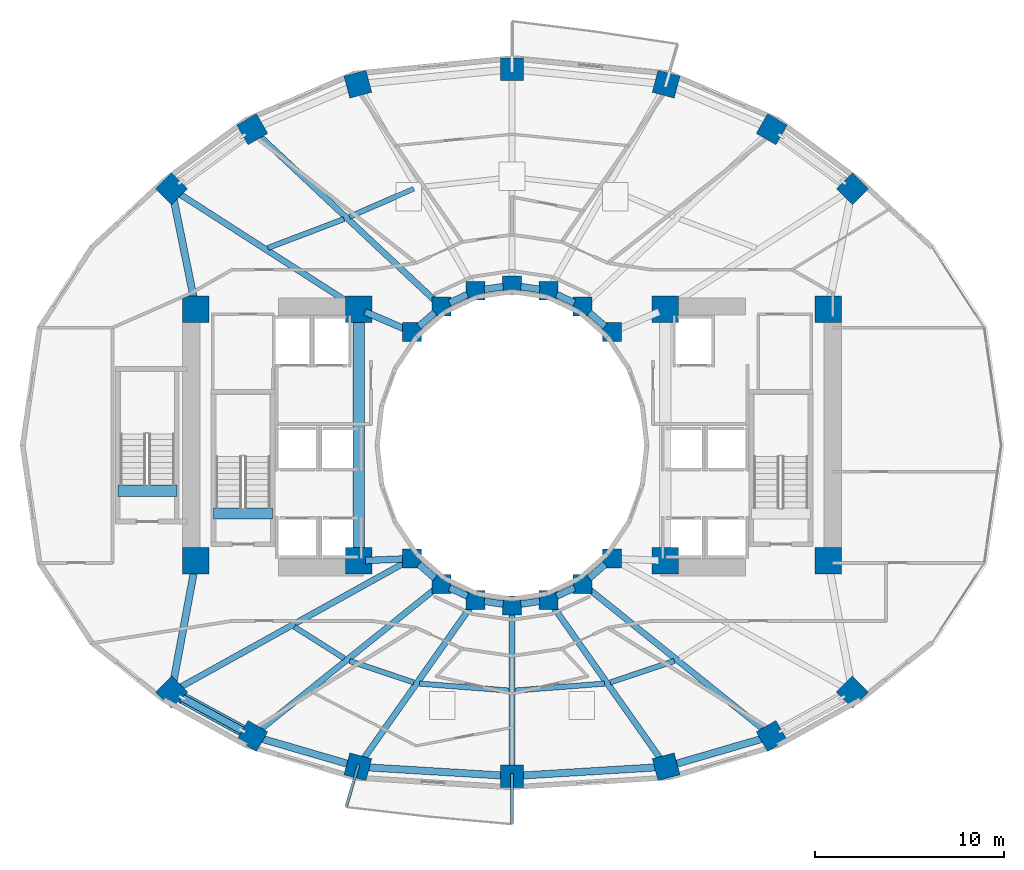
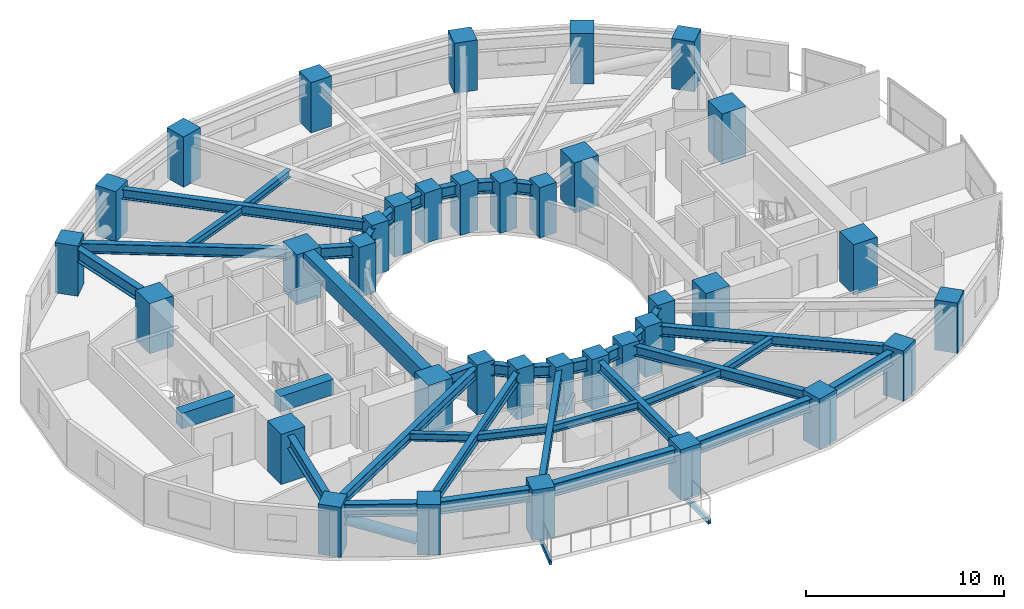
# One storey, part 1 of 14: 41 beams, 36 columns, 1 member.
"""IFC4 building model written with IfcOpenShell, lengths in metres."""

from ifc_helpers import new_model, si_unit, direction, frame, origin, origin_2d, place, context, subcontext, project, spatial, rectangle, hollow_rectangle, hollow_circle, i_section, extrude, material, material_profile, profile_set, type_object, element, save


model = new_model("IFC4")

# Units and contexts
model_context = context("Model", 3, precision=1e-05, world=origin(), true_north=direction((0.0, 1.0)))
body_context = subcontext(model_context, "Body", "Model", "MODEL_VIEW")
ifc_project = project(units=[si_unit("LENGTHUNIT", "METRE"), si_unit("AREAUNIT", "SQUARE_METRE"), si_unit("VOLUMEUNIT", "CUBIC_METRE"), si_unit("PLANEANGLEUNIT", "RADIAN"), si_unit("MASSUNIT", "GRAM", prefix="KILO")], contexts=[model_context])

# Site, building, storey
site_placement = place(None, origin())
site = spatial("IfcSite", under=ifc_project, at=site_placement, CompositionType="ELEMENT")
building_placement = place(site_placement, origin())
building = spatial("IfcBuilding", under=site, at=building_placement, Name="Solvane Sanctuary Tower", CompositionType="ELEMENT")
storey_placement = place(building_placement, frame((0.0, 0.0, 40.0)))
storey = spatial("IfcBuildingStorey", under=building, at=storey_placement, Name="L11", CompositionType="ELEMENT", Elevation=40.0)

# Columns
ifc_material_1 = material(Name="Concrete C70/85", Category="concrete")
ifc_material_profile_1 = material_profile(ifc_material_1, rectangle(XDim=1.39990234375, YDim=1.39990234375, at=origin_2d()), Name="RC1400X1400")
ifc_profile_set_1 = profile_set([ifc_material_profile_1], Name="Concrete C70/85")
column_type_1 = type_object("IfcColumnType", Name="Column C-POD-INT RC1400X1400", PredefinedType="COLUMN", material=ifc_profile_set_1)
for number, where, z_axis, x_axis, name in (
    (1, (15.300048828125, 16.89990234375, 0.0), (0.0, 0.0, 1.0), (1.0, 0.0, 0.0), "L11 Core Corner Column CW1"),
    (2, (23.89990234375, 16.89990234375, 0.0), (0.0, 0.0, 1.0), (1.0, 0.0, 0.0), "L11 Core Corner Column CW2"),
    (3, (23.89990234375, 30.199951171875, 0.0), (0.0, 0.0, 1.0), (1.0, 0.0, 0.0), "L11 Core Corner Column CW3"),
    (4, (15.300048828125, 30.199951171875, 0.0), (0.0, 0.0, 1.0), (1.0, 0.0, 0.0), "L11 Core Corner Column CW4"),
    (5, (40.10009765625, 16.89990234375, 0.0), (0.0, 0.0, 1.0), (1.0, 0.0, 0.0), "L11 Core Corner Column CE1"),
    (6, (48.699951171875, 16.89990234375, 0.0), (0.0, 0.0, 1.0), (1.0, 0.0, 0.0), "L11 Core Corner Column CE2"),
    (7, (48.699951171875, 30.199951171875, 0.0), (0.0, 0.0, 1.0), (1.0, 0.0, 0.0), "L11 Core Corner Column CE3"),
    (8, (40.10009765625, 30.199951171875, 0.0), (0.0, 0.0, 1.0), (1.0, 0.0, 0.0), "L11 Core Corner Column CE4"),
):
    element("IfcColumn", number, at=place(storey_placement, frame(where, z_axis=z_axis, x_axis=x_axis)), inside=storey, type_object=column_type_1, Name=name, PredefinedType="COLUMN", context=body_context, shape_type="SweptSolid", body=[
        extrude(rectangle(XDim=1.39990234375, YDim=1.39990234375, at=origin_2d()), origin(), (0.0, 0.0, 1.0), 3.10009765625),
    ])
ifc_material_profile_2 = material_profile(ifc_material_1, rectangle(XDim=1.0, YDim=1.0, at=origin_2d()), Name="RC1000X1000")
ifc_profile_set_2 = profile_set([ifc_material_profile_2], Name="Concrete C70/85")
column_type_2 = type_object("IfcColumnType", Name="Column C-RING-Z1 RC1000X1000", PredefinedType="COLUMN", material=ifc_profile_set_2)
for number, where, z_axis, x_axis, name in (
    (9, (37.27490234375, 28.982177734375, 0.0), (0.0, 0.0, 1.0), (1.0, 0.0, 0.0), "L11 Inner Light-Well Ring Column IC01"),
    (10, (35.72998046875, 30.32666015625, 0.0), (0.0, 0.0, 1.0), (1.0, 0.0, 0.0), "L11 Inner Light-Well Ring Column IC02"),
    (11, (33.930908203125, 31.171630859375, 0.0), (0.0, 0.0, 1.0), (1.0, 0.0, 0.0), "L11 Inner Light-Well Ring Column IC03"),
    (12, (32.0, 31.4599609375, 0.0), (0.0, 0.0, 1.0), (1.0, 0.0, 0.0), "L11 Inner Light-Well Ring Column IC04"),
    (13, (30.069091796875, 31.171630859375, 0.0), (0.0, 0.0, 1.0), (1.0, 0.0, 0.0), "L11 Inner Light-Well Ring Column IC05"),
    (14, (28.27001953125, 30.32666015625, 0.0), (0.0, 0.0, 1.0), (1.0, 0.0, 0.0), "L11 Inner Light-Well Ring Column IC06"),
    (15, (26.72509765625, 28.982177734375, 0.0), (0.0, 0.0, 1.0), (1.0, 0.0, 0.0), "L11 Inner Light-Well Ring Column IC07"),
    (16, (26.72509765625, 17.017822265625, 0.0), (0.0, 0.0, 1.0), (1.0, 0.0, 0.0), "L11 Inner Light-Well Ring Column IC08"),
    (17, (28.27001953125, 15.67333984375, 0.0), (0.0, 0.0, 1.0), (1.0, 0.0, 0.0), "L11 Inner Light-Well Ring Column IC09"),
    (18, (30.069091796875, 14.828369140625, 0.0), (0.0, 0.0, 1.0), (1.0, 0.0, 0.0), "L11 Inner Light-Well Ring Column IC10"),
    (19, (32.0, 14.5400390625, 0.0), (0.0, 0.0, 1.0), (1.0, 0.0, 0.0), "L11 Inner Light-Well Ring Column IC11"),
    (20, (33.930908203125, 14.828369140625, 0.0), (0.0, 0.0, 1.0), (1.0, 0.0, 0.0), "L11 Inner Light-Well Ring Column IC12"),
    (21, (35.72998046875, 15.67333984375, 0.0), (0.0, 0.0, 1.0), (1.0, 0.0, 0.0), "L11 Inner Light-Well Ring Column IC13"),
    (22, (37.27490234375, 17.017822265625, 0.0), (0.0, 0.0, 1.0), (1.0, 0.0, 0.0), "L11 Inner Light-Well Ring Column IC14"),
):
    element("IfcColumn", number, at=place(storey_placement, frame(where, z_axis=z_axis, x_axis=x_axis)), inside=storey, type_object=column_type_2, Name=name, PredefinedType="COLUMN", context=body_context, shape_type="SweptSolid", body=[
        extrude(rectangle(XDim=1.0, YDim=1.0, at=origin_2d()), origin(), (0.0, 0.0, 1.0), 3.10009765625),
    ])
ifc_material_profile_3 = material_profile(ifc_material_1, rectangle(XDim=1.199951171875, YDim=1.199951171875, at=origin_2d()), Name="RC1200X1200")
ifc_profile_set_3 = profile_set([ifc_material_profile_3], Name="Concrete C70/85")
column_type_3 = type_object("IfcColumnType", Name="Column C-TUBE-Z1 RC1200X1200", PredefinedType="COLUMN", material=ifc_profile_set_3)
for number, where, z_axis, x_axis, name in (
    (23, (49.99169921875, 36.5537109375, 0.0), (0.0, 0.0, 1.0), (0.707106781187, 0.707106781187, 0.0), "L11 Perimeter Tube Column TC01"),
    (24, (45.727294921875, 39.7041015625, 0.0), (0.0, 0.0, 1.0), (0.5, 0.866025403784, 0.0), "L11 Perimeter Tube Column TC02"),
    (25, (40.14501953125, 42.083740234375, 0.0), (0.0, 0.0, 1.0), (0.258819045103, 0.965925826289, 0.0), "L11 Perimeter Tube Column TC03"),
    (26, (32.0, 42.8798828125, 0.0), (0.0, 0.0, 1.0), (0.0, 1.0, 0.0), "L11 Perimeter Tube Column TC04"),
    (27, (23.85498046875, 42.083740234375, 0.0), (0.0, 0.0, 1.0), (-0.258819045103, 0.965925826289, 0.0), "L11 Perimeter Tube Column TC05"),
    (28, (18.272705078125, 39.7041015625, 0.0), (0.0, 0.0, 1.0), (-0.5, 0.866025403784, 0.0), "L11 Perimeter Tube Column TC06"),
    (29, (14.00830078125, 36.5537109375, 0.0), (0.0, 0.0, 1.0), (-0.707106781187, 0.707106781187, 0.0), "L11 Perimeter Tube Column TC07"),
    (30, (14.00830078125, 9.964599609375, 0.0), (0.0, 0.0, 1.0), (-0.707106781187, -0.707106781187, 0.0), "L11 Perimeter Tube Column TC08"),
    (31, (18.272705078125, 7.640625, 0.0), (0.0, 0.0, 1.0), (-0.5, -0.866025403784, 0.0), "L11 Perimeter Tube Column TC09"),
    (32, (23.85498046875, 6.014404296875, 0.0), (0.0, 0.0, 1.0), (-0.258819045103, -0.965925826289, 0.0), "L11 Perimeter Tube Column TC10"),
    (33, (32.0, 5.52001953125, 0.0), (0.0, 0.0, 1.0), (0.0, -1.0, 0.0), "L11 Perimeter Tube Column TC11"),
    (34, (40.14501953125, 6.014404296875, 0.0), (0.0, 0.0, 1.0), (0.258819045103, -0.965925826289, 0.0), "L11 Perimeter Tube Column TC12"),
    (35, (45.727294921875, 7.640625, 0.0), (0.0, 0.0, 1.0), (0.5, -0.866025403784, 0.0), "L11 Perimeter Tube Column TC13"),
    (36, (49.99169921875, 9.964599609375, 0.0), (0.0, 0.0, 1.0), (0.707106781187, -0.707106781187, 0.0), "L11 Perimeter Tube Column TC14"),
):
    element("IfcColumn", number, at=place(storey_placement, frame(where, z_axis=z_axis, x_axis=x_axis)), inside=storey, type_object=column_type_3, Name=name, PredefinedType="COLUMN", context=body_context, shape_type="SweptSolid", body=[
        extrude(rectangle(XDim=1.199951171875, YDim=1.199951171875, at=origin_2d()), origin(), (0.0, 0.0, 1.0), 3.10009765625),
    ])

# Beams
ifc_material_2 = material(Name="Steel ASTM A500 Grade C", Category="steel")
ifc_material_profile_4 = material_profile(ifc_material_2, hollow_rectangle(XDim=0.14990234375, YDim=0.300048828125, WallThickness=0.010009765625, at=origin_2d()), Name="HSS300X150X10")
ifc_profile_set_4 = profile_set([ifc_material_profile_4], Name="Steel ASTM A500 Grade C")
beam_type_1 = type_object("IfcBeamType", Name="Beam B-BALC-BRK HSS300X150X10", PredefinedType="BEAM", material=ifc_profile_set_4)
beam_1_placement = place(storey_placement, frame((23.896728515625, 6.15869140625, -0.3720703125), z_axis=(-0.277479359198, -0.960731598949, 0.0), x_axis=(0.960731598949, -0.277479359198, 0.0)))
element("IfcBeam", 37, at=beam_1_placement, inside=storey, type_object=beam_type_1, Name="L11 Balcony Bracket SC-1", PredefinedType="BEAM", context=body_context, shape_type="SweptSolid", body=[
    extrude(hollow_rectangle(XDim=0.14990234375, YDim=0.300048828125, WallThickness=0.010009765625, at=origin_2d()), origin(), (0.0, 0.0, 1.0), 2.325439453125),
])
beam_2_placement = place(storey_placement, frame((32.0, 5.669921875, -0.3720703125), z_axis=(0.0, -1.0, 0.0), x_axis=(1.0, 0.0, 0.0)))
element("IfcBeam", 38, at=beam_2_placement, inside=storey, type_object=beam_type_1, Name="L11 Balcony Bracket SC-2", PredefinedType="BEAM", context=body_context, shape_type="SweptSolid", body=[
    extrude(hollow_rectangle(XDim=0.14990234375, YDim=0.300048828125, WallThickness=0.010009765625, at=origin_2d()), origin(), (0.0, 0.0, 1.0), 2.64794921875),
])
ifc_material_profile_5 = material_profile(ifc_material_1, rectangle(XDim=0.60009765625, YDim=0.949951171875, at=origin_2d()), Name="RC600X950")
ifc_profile_set_5 = profile_set([ifc_material_profile_5], Name="Concrete C70/85")
beam_type_2 = type_object("IfcBeamType", Name="Beam B-COUPLE RC600X950", PredefinedType="LINTEL", material=ifc_profile_set_5)
beam_3_placement = place(storey_placement, frame((23.89990234375, 17.35009765625, 2.625), z_axis=(0.0, 1.0, 0.0), x_axis=(-1.0, 0.0, 0.0)))
element("IfcBeam", 39, at=beam_3_placement, inside=storey, type_object=beam_type_2, Name="L11 West Core Coupling Lintel", PredefinedType="LINTEL", context=body_context, shape_type="SweptSolid", body=[
    extrude(rectangle(XDim=0.60009765625, YDim=0.949951171875, at=origin_2d()), origin(), (0.0, 0.0, 1.0), 12.39990234375),
])
for number, where, z_axis, x_axis, name in (
    (40, (16.22998046875, 19.399169921875, 2.625), (1.0, 0.0, 0.0), (0.0, 1.0, 0.0), "L11 ST-1 Stair Floor Landing Trimmer"),
    (41, (11.169921875, 20.59912109375, 2.625), (1.0, 0.0, 0.0), (0.0, 1.0, 0.0), "L11 ST-3 Stair Floor Landing Trimmer"),
):
    element("IfcBeam", number, at=place(storey_placement, frame(where, z_axis=z_axis, x_axis=x_axis)), inside=storey, type_object=beam_type_2, Name=name, PredefinedType="LINTEL", context=body_context, shape_type="SweptSolid", body=[
        extrude(rectangle(XDim=0.60009765625, YDim=0.949951171875, at=origin_2d()), origin(), (0.0, 0.0, 1.0), 3.1201171875),
    ])
ifc_material_3 = material(Name="Steel ASTM A992 Grade 50", Category="steel")
ifc_material_profile_6 = material_profile(ifc_material_3, i_section(OverallWidth=0.323974609375, OverallDepth=0.611083984375, WebThickness=0.0126953125, FlangeThickness=0.01904296875, FilletRadius=0.01611328125, at=origin_2d()), Name="W24X104")
ifc_profile_set_6 = profile_set([ifc_material_profile_6], Name="Steel ASTM A992 Grade 50")
beam_type_3 = type_object("IfcBeamType", Name="Beam B-RAD-Z1 W24X104", PredefinedType="BEAM", material=ifc_profile_set_6)
beam_4_placement = place(storey_placement, frame((28.06591796875, 30.518310546875, 2.572509765625), z_axis=(-0.729363446859, 0.68412642281, 0.0), x_axis=(-0.68412642281, -0.729363446859, 0.0)))
element("IfcBeam", 42, at=beam_4_placement, inside=storey, type_object=beam_type_3, Name="L11 Radial Composite Floor Beam 06", PredefinedType="BEAM", context=body_context, shape_type="SweptSolid", body=[
    extrude(i_section(OverallWidth=0.323974609375, OverallDepth=0.611083984375, WebThickness=0.0126953125, FlangeThickness=0.01904296875, FilletRadius=0.01611328125, at=origin_2d()), origin(), (0.0, 0.0, 1.0), 13.14697265625),
])
beam_5_placement = place(storey_placement, frame((23.59716796875, 30.39453125, 2.572509765625), z_axis=(-0.841383207998, 0.540438985733, 0.0), x_axis=(-0.540438985733, -0.841383207998, 0.0)))
element("IfcBeam", 43, at=beam_5_placement, inside=storey, type_object=beam_type_3, Name="L11 Radial Composite Floor Beam 07", PredefinedType="BEAM", context=body_context, shape_type="SweptSolid", body=[
    extrude(i_section(OverallWidth=0.323974609375, OverallDepth=0.611083984375, WebThickness=0.0126953125, FlangeThickness=0.01904296875, FilletRadius=0.01611328125, at=origin_2d()), origin(), (0.0, 0.0, 1.0), 11.116455078125),
])
beam_6_placement = place(storey_placement, frame((26.47998046875, 16.882080078125, 2.572509765625), z_axis=(-0.87449641157, -0.485031984668, 0.0), x_axis=(0.485031984668, -0.87449641157, 0.0)))
element("IfcBeam", 44, at=beam_6_placement, inside=storey, type_object=beam_type_3, Name="L11 Radial Composite Floor Beam 08", PredefinedType="BEAM", context=body_context, shape_type="SweptSolid", body=[
    extrude(i_section(OverallWidth=0.323974609375, OverallDepth=0.611083984375, WebThickness=0.0126953125, FlangeThickness=0.01904296875, FilletRadius=0.01611328125, at=origin_2d()), origin(), (0.0, 0.0, 1.0), 13.9814453125),
])
beam_7_placement = place(storey_placement, frame((28.0517578125, 15.498046875, 2.572509765625), z_axis=(-0.779526985436, -0.626368644631, 0.0), x_axis=(0.626368644631, -0.779526985436, 0.0)))
element("IfcBeam", 45, at=beam_7_placement, inside=storey, type_object=beam_type_3, Name="L11 Radial Composite Floor Beam 09", PredefinedType="BEAM", context=body_context, shape_type="SweptSolid", body=[
    extrude(i_section(OverallWidth=0.323974609375, OverallDepth=0.611083984375, WebThickness=0.0126953125, FlangeThickness=0.01904296875, FilletRadius=0.01611328125, at=origin_2d()), origin(), (0.0, 0.0, 1.0), 12.2646484375),
])
beam_8_placement = place(storey_placement, frame((29.907958984375, 14.599609375, 2.572509765625), z_axis=(-0.576233115666, -0.817285382476, 0.0), x_axis=(0.817285382476, -0.576233115666, 0.0)))
element("IfcBeam", 46, at=beam_8_placement, inside=storey, type_object=beam_type_3, Name="L11 Radial Composite Floor Beam 10", PredefinedType="BEAM", context=body_context, shape_type="SweptSolid", body=[
    extrude(i_section(OverallWidth=0.323974609375, OverallDepth=0.611083984375, WebThickness=0.0126953125, FlangeThickness=0.01904296875, FilletRadius=0.01611328125, at=origin_2d()), origin(), (0.0, 0.0, 1.0), 10.224365234375),
])
beam_9_placement = place(storey_placement, frame((32.0, 14.260009765625, 2.572509765625), z_axis=(0.0, -1.0, 0.0), x_axis=(1.0, 0.0, 0.0)))
element("IfcBeam", 47, at=beam_9_placement, inside=storey, type_object=beam_type_3, Name="L11 Radial Composite Floor Beam 11", PredefinedType="BEAM", context=body_context, shape_type="SweptSolid", body=[
    extrude(i_section(OverallWidth=0.323974609375, OverallDepth=0.611083984375, WebThickness=0.0126953125, FlangeThickness=0.01904296875, FilletRadius=0.01611328125, at=origin_2d()), origin(), (0.0, 0.0, 1.0), 8.4599609375),
])
beam_10_placement = place(storey_placement, frame((34.092041015625, 14.599609375, 2.572509765625), z_axis=(0.576233115666, -0.817285382476, 0.0), x_axis=(0.817285382476, 0.576233115666, 0.0)))
element("IfcBeam", 48, at=beam_10_placement, inside=storey, type_object=beam_type_3, Name="L11 Radial Composite Floor Beam 12", PredefinedType="BEAM", context=body_context, shape_type="SweptSolid", body=[
    extrude(i_section(OverallWidth=0.323974609375, OverallDepth=0.611083984375, WebThickness=0.0126953125, FlangeThickness=0.01904296875, FilletRadius=0.01611328125, at=origin_2d()), origin(), (0.0, 0.0, 1.0), 10.224365234375),
])
beam_11_placement = place(storey_placement, frame((35.9482421875, 15.498046875, 2.572509765625), z_axis=(0.779526985436, -0.626368644631, 0.0), x_axis=(0.626368644631, 0.779526985436, 0.0)))
element("IfcBeam", 49, at=beam_11_placement, inside=storey, type_object=beam_type_3, Name="L11 Radial Composite Floor Beam 13", PredefinedType="BEAM", context=body_context, shape_type="SweptSolid", body=[
    extrude(i_section(OverallWidth=0.323974609375, OverallDepth=0.611083984375, WebThickness=0.0126953125, FlangeThickness=0.01904296875, FilletRadius=0.01611328125, at=origin_2d()), origin(), (0.0, 0.0, 1.0), 12.2646484375),
])
ifc_material_profile_7 = material_profile(ifc_material_3, i_section(OverallWidth=0.35498046875, OverallDepth=0.695068359375, WebThickness=0.015380859375, FlangeThickness=0.02490234375, FilletRadius=0.01806640625, at=origin_2d()), Name="W27X146")
ifc_profile_set_7 = profile_set([ifc_material_profile_7], Name="Steel ASTM A992 Grade 50")
beam_type_4 = type_object("IfcBeamType", Name="Beam B-RING-IN1 W27X146", PredefinedType="BEAM", material=ifc_profile_set_7)
beam_12_placement = place(storey_placement, frame((24.230712890625, 30.0576171875, 2.530517578125), z_axis=(0.918277080365, -0.395938383687, 0.0), x_axis=(0.395938383687, 0.918277080365, 0.0)))
element("IfcBeam", 50, at=beam_12_placement, inside=storey, type_object=beam_type_4, Name="L11 Inner Light-Well Ring Beam CW3-IC07", PredefinedType="BEAM", context=body_context, shape_type="SweptSolid", body=[
    extrude(i_section(OverallWidth=0.35498046875, OverallDepth=0.695068359375, WebThickness=0.015380859375, FlangeThickness=0.02490234375, FilletRadius=0.01806640625, at=origin_2d()), origin(), (0.0, 0.0, 1.0), 2.246337890625),
])
beam_13_placement = place(storey_placement, frame((27.07958984375, 29.29052734375, 2.530517578125), z_axis=(0.754320881993, 0.65650590781, 0.0), x_axis=(-0.65650590781, 0.754320881993, 0.0)))
element("IfcBeam", 51, at=beam_13_placement, inside=storey, type_object=beam_type_4, Name="L11 Inner Light-Well Ring Beam IC07-IC06", PredefinedType="BEAM", context=body_context, shape_type="SweptSolid", body=[
    extrude(i_section(OverallWidth=0.35498046875, OverallDepth=0.695068359375, WebThickness=0.015380859375, FlangeThickness=0.02490234375, FilletRadius=0.01806640625, at=origin_2d()), origin(), (0.0, 0.0, 1.0), 1.108154296875),
])
beam_14_placement = place(storey_placement, frame((28.6953125, 30.5263671875, 2.530517578125), z_axis=(0.905108885866, 0.42517984986, 0.0), x_axis=(-0.42517984986, 0.905108885866, 0.0)))
element("IfcBeam", 52, at=beam_14_placement, inside=storey, type_object=beam_type_4, Name="L11 Inner Light-Well Ring Beam IC06-IC05", PredefinedType="BEAM", context=body_context, shape_type="SweptSolid", body=[
    extrude(i_section(OverallWidth=0.35498046875, OverallDepth=0.695068359375, WebThickness=0.015380859375, FlangeThickness=0.02490234375, FilletRadius=0.01806640625, at=origin_2d()), origin(), (0.0, 0.0, 1.0), 1.0478515625),
])
for number, where, z_axis, x_axis, name in (
    (53, (30.533935546875, 31.2412109375, 2.530517578125), (0.989047520133, 0.147597435338, 0.0), (-0.147597435338, 0.989047520133, 0.0), "L11 Inner Light-Well Ring Beam IC05-IC04"),
    (54, (32.46484375, 31.390625, 2.530517578125), (0.989047520133, -0.147597435338, 0.0), (0.147597435338, 0.989047520133, 0.0), "L11 Inner Light-Well Ring Beam IC04-IC03"),
):
    element("IfcBeam", number, at=place(storey_placement, frame(where, z_axis=z_axis, x_axis=x_axis)), inside=storey, type_object=beam_type_4, Name=name, PredefinedType="BEAM", context=body_context, shape_type="SweptSolid", body=[
        extrude(i_section(OverallWidth=0.35498046875, OverallDepth=0.695068359375, WebThickness=0.015380859375, FlangeThickness=0.02490234375, FilletRadius=0.01806640625, at=origin_2d()), origin(), (0.0, 0.0, 1.0), 1.01220703125),
    ])
beam_15_placement = place(storey_placement, frame((34.356201171875, 30.971923828125, 2.530517578125), z_axis=(0.905108885866, -0.42517984986, 0.0), x_axis=(0.42517984986, 0.905108885866, 0.0)))
element("IfcBeam", 55, at=beam_15_placement, inside=storey, type_object=beam_type_4, Name="L11 Inner Light-Well Ring Beam IC03-IC02", PredefinedType="BEAM", context=body_context, shape_type="SweptSolid", body=[
    extrude(i_section(OverallWidth=0.35498046875, OverallDepth=0.695068359375, WebThickness=0.015380859375, FlangeThickness=0.02490234375, FilletRadius=0.01806640625, at=origin_2d()), origin(), (0.0, 0.0, 1.0), 1.0478515625),
])
beam_16_placement = place(storey_placement, frame((36.08447265625, 30.01806640625, 2.530517578125), z_axis=(0.754320881993, -0.65650590781, 0.0), x_axis=(0.65650590781, 0.754320881993, 0.0)))
element("IfcBeam", 56, at=beam_16_placement, inside=storey, type_object=beam_type_4, Name="L11 Inner Light-Well Ring Beam IC02-IC01", PredefinedType="BEAM", context=body_context, shape_type="SweptSolid", body=[
    extrude(i_section(OverallWidth=0.35498046875, OverallDepth=0.695068359375, WebThickness=0.015380859375, FlangeThickness=0.02490234375, FilletRadius=0.01806640625, at=origin_2d()), origin(), (0.0, 0.0, 1.0), 1.108154296875),
])
beam_17_placement = place(storey_placement, frame((24.259765625, 16.9150390625, 2.530517578125), z_axis=(0.999130953379, 0.041681386726, 0.0), x_axis=(-0.041681386726, 0.999130953379, 0.0)))
element("IfcBeam", 57, at=beam_17_placement, inside=storey, type_object=beam_type_4, Name="L11 Inner Light-Well Ring Beam CW2-IC08", PredefinedType="BEAM", context=body_context, shape_type="SweptSolid", body=[
    extrude(i_section(OverallWidth=0.35498046875, OverallDepth=0.695068359375, WebThickness=0.015380859375, FlangeThickness=0.02490234375, FilletRadius=0.01806640625, at=origin_2d()), origin(), (0.0, 0.0, 1.0), 1.997314453125),
])
beam_18_placement = place(storey_placement, frame((27.07958984375, 16.70947265625, 2.530517578125), z_axis=(0.754320881993, -0.65650590781, 0.0), x_axis=(0.65650590781, 0.754320881993, 0.0)))
element("IfcBeam", 58, at=beam_18_placement, inside=storey, type_object=beam_type_4, Name="L11 Inner Light-Well Ring Beam IC08-IC09", PredefinedType="BEAM", context=body_context, shape_type="SweptSolid", body=[
    extrude(i_section(OverallWidth=0.35498046875, OverallDepth=0.695068359375, WebThickness=0.015380859375, FlangeThickness=0.02490234375, FilletRadius=0.01806640625, at=origin_2d()), origin(), (0.0, 0.0, 1.0), 1.108154296875),
])
beam_19_placement = place(storey_placement, frame((28.6953125, 15.4736328125, 2.530517578125), z_axis=(0.905108885866, -0.42517984986, 0.0), x_axis=(0.42517984986, 0.905108885866, 0.0)))
element("IfcBeam", 59, at=beam_19_placement, inside=storey, type_object=beam_type_4, Name="L11 Inner Light-Well Ring Beam IC09-IC10", PredefinedType="BEAM", context=body_context, shape_type="SweptSolid", body=[
    extrude(i_section(OverallWidth=0.35498046875, OverallDepth=0.695068359375, WebThickness=0.015380859375, FlangeThickness=0.02490234375, FilletRadius=0.01806640625, at=origin_2d()), origin(), (0.0, 0.0, 1.0), 1.0478515625),
])
for number, where, z_axis, x_axis, name in (
    (60, (30.533935546875, 14.7587890625, 2.530517578125), (0.989047520133, -0.147597435338, 0.0), (0.147597435338, 0.989047520133, 0.0), "L11 Inner Light-Well Ring Beam IC10-IC11"),
    (61, (32.46484375, 14.609375, 2.530517578125), (0.989047520133, 0.147597435338, 0.0), (-0.147597435338, 0.989047520133, 0.0), "L11 Inner Light-Well Ring Beam IC11-IC12"),
):
    element("IfcBeam", number, at=place(storey_placement, frame(where, z_axis=z_axis, x_axis=x_axis)), inside=storey, type_object=beam_type_4, Name=name, PredefinedType="BEAM", context=body_context, shape_type="SweptSolid", body=[
        extrude(i_section(OverallWidth=0.35498046875, OverallDepth=0.695068359375, WebThickness=0.015380859375, FlangeThickness=0.02490234375, FilletRadius=0.01806640625, at=origin_2d()), origin(), (0.0, 0.0, 1.0), 1.01220703125),
    ])
beam_20_placement = place(storey_placement, frame((34.356201171875, 15.028076171875, 2.530517578125), z_axis=(0.905108885866, 0.42517984986, 0.0), x_axis=(-0.42517984986, 0.905108885866, 0.0)))
element("IfcBeam", 62, at=beam_20_placement, inside=storey, type_object=beam_type_4, Name="L11 Inner Light-Well Ring Beam IC12-IC13", PredefinedType="BEAM", context=body_context, shape_type="SweptSolid", body=[
    extrude(i_section(OverallWidth=0.35498046875, OverallDepth=0.695068359375, WebThickness=0.015380859375, FlangeThickness=0.02490234375, FilletRadius=0.01806640625, at=origin_2d()), origin(), (0.0, 0.0, 1.0), 1.0478515625),
])
beam_21_placement = place(storey_placement, frame((36.08447265625, 15.98193359375, 2.530517578125), z_axis=(0.754320881993, 0.65650590781, 0.0), x_axis=(-0.65650590781, 0.754320881993, 0.0)))
element("IfcBeam", 63, at=beam_21_placement, inside=storey, type_object=beam_type_4, Name="L11 Inner Light-Well Ring Beam IC13-IC14", PredefinedType="BEAM", context=body_context, shape_type="SweptSolid", body=[
    extrude(i_section(OverallWidth=0.35498046875, OverallDepth=0.695068359375, WebThickness=0.015380859375, FlangeThickness=0.02490234375, FilletRadius=0.01806640625, at=origin_2d()), origin(), (0.0, 0.0, 1.0), 1.108154296875),
])
ifc_material_profile_8 = material_profile(ifc_material_3, i_section(OverallWidth=0.280029296875, OverallDepth=0.462890625, WebThickness=0.0107421875, FlangeThickness=0.017333984375, FilletRadius=0.013916015625, at=origin_2d()), Name="W18X76")
ifc_profile_set_8 = profile_set([ifc_material_profile_8], Name="Steel ASTM A992 Grade 50")
beam_type_5 = type_object("IfcBeamType", Name="Beam B-SEC-JOIST W18X76", PredefinedType="JOIST", material=ifc_profile_set_8)
beam_22_placement = place(storey_placement, frame((19.100830078125, 33.4326171875, 2.646484375), z_axis=(0.934930049376, 0.354832076867, 0.0), x_axis=(-0.354832076867, 0.934930049376, 0.0)))
element("IfcBeam", 64, at=beam_22_placement, inside=storey, type_object=beam_type_5, Name="L11 Secondary Circumferential Joist 07-06", PredefinedType="JOIST", context=body_context, shape_type="SweptSolid", body=[
    extrude(i_section(OverallWidth=0.280029296875, OverallDepth=0.462890625, WebThickness=0.0107421875, FlangeThickness=0.017333984375, FilletRadius=0.013916015625, at=origin_2d()), origin(), (0.0, 0.0, 1.0), 4.3037109375),
])
beam_23_placement = place(storey_placement, frame((23.415283203125, 35.078125, 2.646484375), z_axis=(0.916382007922, 0.400304903238, 0.0), x_axis=(-0.400304903238, 0.916382007922, 0.0)))
element("IfcBeam", 65, at=beam_23_placement, inside=storey, type_object=beam_type_5, Name="L11 Secondary Circumferential Joist 06-05", PredefinedType="JOIST", context=body_context, shape_type="SweptSolid", body=[
    extrude(i_section(OverallWidth=0.280029296875, OverallDepth=0.462890625, WebThickness=0.0107421875, FlangeThickness=0.017333984375, FilletRadius=0.013916015625, at=origin_2d()), origin(), (0.0, 0.0, 1.0), 3.713623046875),
])
beam_24_placement = place(storey_placement, frame((20.499267578125, 13.407470703125, 2.646484375), z_axis=(0.845524211665, -0.533937081957, 0.0), x_axis=(0.533937081957, 0.845524211665, 0.0)))
element("IfcBeam", 66, at=beam_24_placement, inside=storey, type_object=beam_type_5, Name="L11 Secondary Circumferential Joist 08-09", PredefinedType="JOIST", context=body_context, shape_type="SweptSolid", body=[
    extrude(i_section(OverallWidth=0.280029296875, OverallDepth=0.462890625, WebThickness=0.0107421875, FlangeThickness=0.017333984375, FilletRadius=0.013916015625, at=origin_2d()), origin(), (0.0, 0.0, 1.0), 3.12158203125),
])
beam_25_placement = place(storey_placement, frame((23.42041015625, 11.607177734375, 2.646484375), z_axis=(0.948259393162, -0.317496650816, 0.0), x_axis=(0.317496650816, 0.948259393162, 0.0)))
element("IfcBeam", 67, at=beam_25_placement, inside=storey, type_object=beam_type_5, Name="L11 Secondary Circumferential Joist 09-10", PredefinedType="JOIST", context=body_context, shape_type="SweptSolid", body=[
    extrude(i_section(OverallWidth=0.280029296875, OverallDepth=0.462890625, WebThickness=0.0107421875, FlangeThickness=0.017333984375, FilletRadius=0.013916015625, at=origin_2d()), origin(), (0.0, 0.0, 1.0), 3.577880859375),
])
for number, where, z_axis, x_axis, name in (
    (68, (27.11865234375, 10.4091796875, 2.646484375), (0.996997851194, -0.077429223911, 0.0), (0.077429223911, 0.996997851194, 0.0), "L11 Secondary Circumferential Joist 10-11"),
    (69, (32.156494140625, 10.042236328125, 2.646484375), (0.996997851194, 0.077429223911, 0.0), (-0.077429223911, 0.996997851194, 0.0), "L11 Secondary Circumferential Joist 11-12"),
):
    element("IfcBeam", number, at=place(storey_placement, frame(where, z_axis=z_axis, x_axis=x_axis)), inside=storey, type_object=beam_type_5, Name=name, PredefinedType="JOIST", context=body_context, shape_type="SweptSolid", body=[
        extrude(i_section(OverallWidth=0.280029296875, OverallDepth=0.462890625, WebThickness=0.0107421875, FlangeThickness=0.017333984375, FilletRadius=0.013916015625, at=origin_2d()), origin(), (0.0, 0.0, 1.0), 4.739013671875),
    ])
beam_26_placement = place(storey_placement, frame((37.186767578125, 10.47119140625, 2.646484375), z_axis=(0.948259393162, 0.317496650816, 0.0), x_axis=(-0.317496650816, 0.948259393162, 0.0)))
element("IfcBeam", 70, at=beam_26_placement, inside=storey, type_object=beam_type_5, Name="L11 Secondary Circumferential Joist 12-13", PredefinedType="JOIST", context=body_context, shape_type="SweptSolid", body=[
    extrude(i_section(OverallWidth=0.280029296875, OverallDepth=0.462890625, WebThickness=0.0107421875, FlangeThickness=0.017333984375, FilletRadius=0.013916015625, at=origin_2d()), origin(), (0.0, 0.0, 1.0), 3.577880859375),
])
ifc_material_profile_9 = material_profile(ifc_material_3, i_section(OverallWidth=0.382080078125, OverallDepth=0.779052734375, WebThickness=0.01806640625, FlangeThickness=0.030029296875, FilletRadius=0.02001953125, at=origin_2d()), Name="W30X191")
ifc_profile_set_9 = profile_set([ifc_material_profile_9], Name="Steel ASTM A992 Grade 50")
beam_type_6 = type_object("IfcBeamType", Name="Beam B-SPAND-Z1 W30X191", PredefinedType="SPANDREL", material=ifc_profile_set_9)
beam_27_placement = place(storey_placement, frame((15.244140625, 30.474365234375, 2.488525390625), z_axis=(-0.199190417877, 0.979960804025, 0.0), x_axis=(-0.979960804025, -0.199190417877, 0.0)))
element("IfcBeam", 71, at=beam_27_placement, inside=storey, type_object=beam_type_6, Name="L11 Perimeter Spandrel Beam CW4-TC07", PredefinedType="SPANDREL", context=body_context, shape_type="SweptSolid", body=[
    extrude(i_section(OverallWidth=0.382080078125, OverallDepth=0.779052734375, WebThickness=0.01806640625, FlangeThickness=0.030029296875, FilletRadius=0.02001953125, at=origin_2d()), origin(), (0.0, 0.0, 1.0), 5.923583984375),
])
beam_28_placement = place(storey_placement, frame((15.248779296875, 16.624755859375, 2.488525390625), z_axis=(-0.183108171104, -0.983092771652, 0.0), x_axis=(0.983092771652, -0.183108171104, 0.0)))
element("IfcBeam", 72, at=beam_28_placement, inside=storey, type_object=beam_type_6, Name="L11 Perimeter Spandrel Beam CW1-TC08", PredefinedType="SPANDREL", context=body_context, shape_type="SweptSolid", body=[
    extrude(i_section(OverallWidth=0.382080078125, OverallDepth=0.779052734375, WebThickness=0.01806640625, FlangeThickness=0.030029296875, FilletRadius=0.02001953125, at=origin_2d()), origin(), (0.0, 0.0, 1.0), 6.49462890625),
])
beam_29_placement = place(storey_placement, frame((14.254150390625, 9.830810546875, 2.488525390625), z_axis=(0.878060556078, -0.478549537519, 0.0), x_axis=(0.478549537519, 0.878060556078, 0.0)))
element("IfcBeam", 73, at=beam_29_placement, inside=storey, type_object=beam_type_6, Name="L11 Perimeter Spandrel Beam TC08-TC09", PredefinedType="SPANDREL", context=body_context, shape_type="SweptSolid", body=[
    extrude(i_section(OverallWidth=0.382080078125, OverallDepth=0.779052734375, WebThickness=0.01806640625, FlangeThickness=0.030029296875, FilletRadius=0.02001953125, at=origin_2d()), origin(), (0.0, 0.0, 1.0), 4.296630859375),
])
beam_30_placement = place(storey_placement, frame((18.54150390625, 7.562255859375, 2.488525390625), z_axis=(0.960096217722, -0.279669899553, 0.0), x_axis=(0.279669899553, 0.960096217722, 0.0)))
element("IfcBeam", 74, at=beam_30_placement, inside=storey, type_object=beam_type_6, Name="L11 Perimeter Spandrel Beam TC09-TC10", PredefinedType="SPANDREL", context=body_context, shape_type="SweptSolid", body=[
    extrude(i_section(OverallWidth=0.382080078125, OverallDepth=0.779052734375, WebThickness=0.01806640625, FlangeThickness=0.030029296875, FilletRadius=0.02001953125, at=origin_2d()), origin(), (0.0, 0.0, 1.0), 5.25439453125),
])
for number, where, z_axis, x_axis, name in (
    (75, (24.134521484375, 5.99755859375, 2.488525390625), (0.998162966989, -0.060586230553, 0.0), (0.060586230553, 0.998162966989, 0.0), "L11 Perimeter Spandrel Beam TC10-TC11"),
    (76, (32.279541015625, 5.537109375, 2.488525390625), (0.998162966989, 0.060586230553, 0.0), (-0.060586230553, 0.998162966989, 0.0), "L11 Perimeter Spandrel Beam TC11-TC12"),
):
    element("IfcBeam", number, at=place(storey_placement, frame(where, z_axis=z_axis, x_axis=x_axis)), inside=storey, type_object=beam_type_6, Name=name, PredefinedType="SPANDREL", context=body_context, shape_type="SweptSolid", body=[
        extrude(i_section(OverallWidth=0.382080078125, OverallDepth=0.779052734375, WebThickness=0.01806640625, FlangeThickness=0.030029296875, FilletRadius=0.02001953125, at=origin_2d()), origin(), (0.0, 0.0, 1.0), 7.599853515625),
    ])
beam_31_placement = place(storey_placement, frame((40.413818359375, 6.0927734375, 2.488525390625), z_axis=(0.960096217722, 0.279669899553, 0.0), x_axis=(-0.279669899553, 0.960096217722, 0.0)))
element("IfcBeam", 77, at=beam_31_placement, inside=storey, type_object=beam_type_6, Name="L11 Perimeter Spandrel Beam TC12-TC13", PredefinedType="SPANDREL", context=body_context, shape_type="SweptSolid", body=[
    extrude(i_section(OverallWidth=0.382080078125, OverallDepth=0.779052734375, WebThickness=0.01806640625, FlangeThickness=0.030029296875, FilletRadius=0.02001953125, at=origin_2d()), origin(), (0.0, 0.0, 1.0), 5.25439453125),
])

# Member
ifc_material_profile_10 = material_profile(ifc_material_3, hollow_circle(Radius=0.304931640625, WallThickness=0.01611328125, at=origin_2d()), Name="CHS610X16")
ifc_profile_set_10 = profile_set([ifc_material_profile_10], Name="Steel ASTM A992 Grade 50")
member_type = type_object("IfcMemberType", Name="Member M-TUBE-Z1 CHS610X16", PredefinedType="BRACE", material=ifc_profile_set_10)
member_placement = place(storey_placement, frame((17.737548828125, 7.932373046875, 0.595703125), z_axis=(-0.827739985201, 0.451112238875, 0.333682880648), x_axis=(-0.478539548862, -0.878065999897, 0.0)))
element("IfcMember", 78, at=member_placement, inside=storey, type_object=member_type, Name="L11 Perimeter Braced-Tube Diagonal SW", PredefinedType="BRACE", context=body_context, shape_type="SweptSolid", body=[
    extrude(hollow_circle(Radius=0.304931640625, WallThickness=0.01611328125, at=origin_2d()), origin(), (0.0, 0.0, 1.0), 3.831787109375),
])

save(model, "model.ifc")
